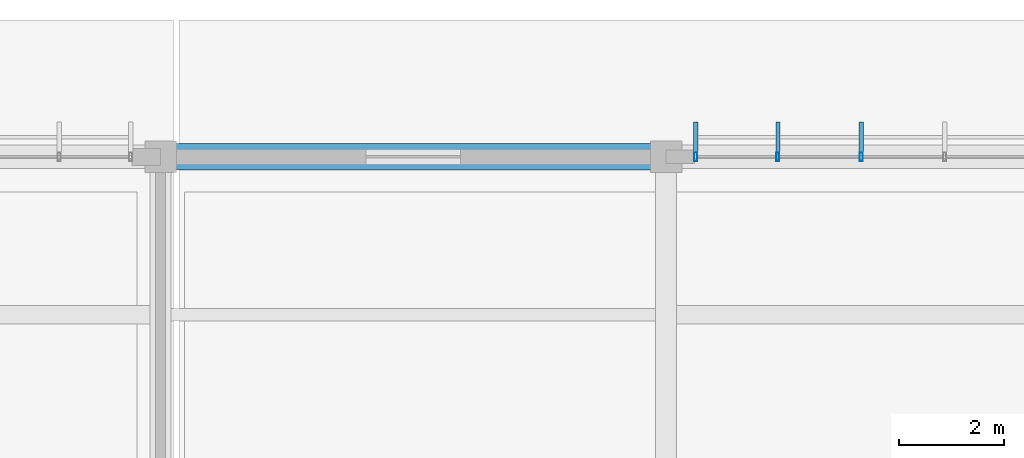
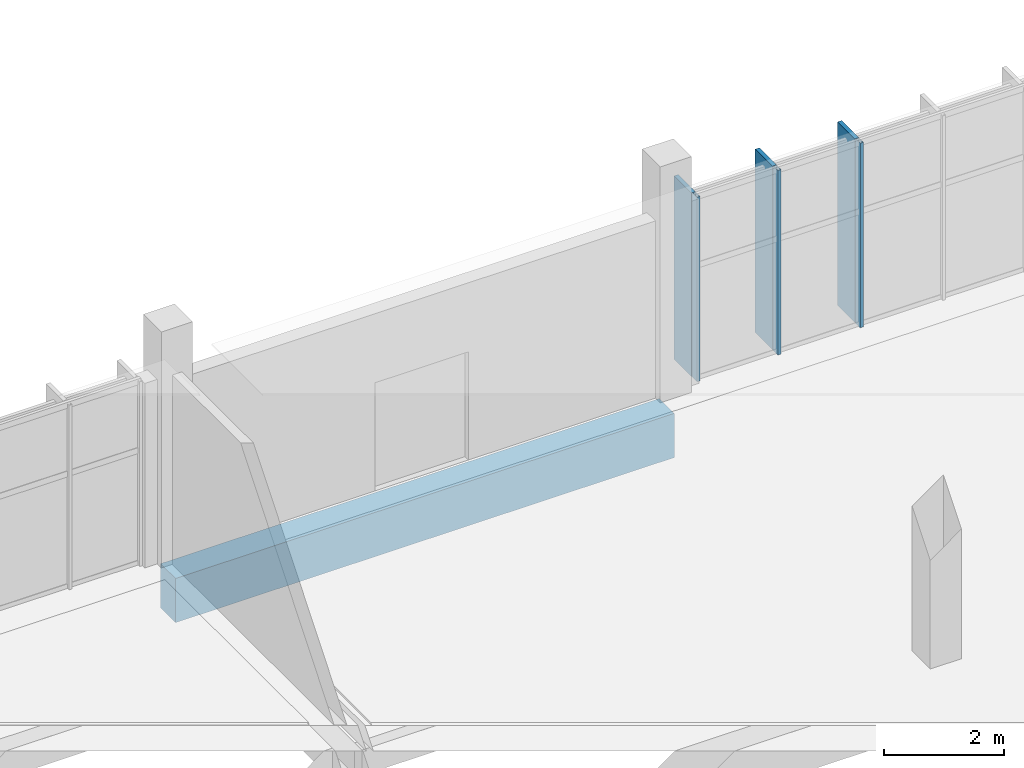
# One storey, part 97 of 151: 6 members, 1 beam, 1 element without a shape of its own.
"""IFC4 building model written with IfcOpenShell, lengths in metres."""

import ifcopenshell
import ifcopenshell.guid

model = None  # the IFC model being written
_history = None  # IfcOwnerHistory: only IFC2X3 demands one
_inside = {}  # id of a spatial element -> (the spatial element, [elements in it])
_under = {}  # id of a project, library or spatial element -> (it, [spatial elements below it])
_declared = {}  # id of a project -> (the project, [libraries it declares])
_typed = {}  # id of a type object -> (the type object, [elements of that type])
_made_of = {}  # id of a material, layer set ... -> (it, [elements and type objects made of it])


def new_model(schema):
    """Start an empty IFC model of exactly this schema.

    Asked for "IFC4X3", IfcOpenShell would pick the latest addendum, in which some entities
    have other attributes; the version numbers below select the first issue.
    IFC2X3 requires an IfcOwnerHistory on every rooted entity: one is made here for all.
    """
    global model, _history
    if schema == "IFC4X3":
        model = ifcopenshell.file(schema_version=(4, 3, 0, 0))
    else:
        model = ifcopenshell.file(schema=schema)
    _inside.clear()
    _under.clear()
    _declared.clear()
    _typed.clear()
    _made_of.clear()
    _history = None
    if model.schema == "IFC2X3":
        org = make("IfcOrganization", Name="unknown")
        user = make(
            "IfcPersonAndOrganization",
            ThePerson=make("IfcPerson", FamilyName="unknown"),
            TheOrganization=org,
        )
        app = make(
            "IfcApplication",
            ApplicationDeveloper=org,
            Version="unknown",
            ApplicationFullName="unknown",
            ApplicationIdentifier="unknown",
        )
        _history = make(
            "IfcOwnerHistory",
            OwningUser=user,
            OwningApplication=app,
            ChangeAction="ADDED",
            CreationDate=0,
        )
    return model


def make(cls, **values):
    """One entity of the class cls with the attributes given. An attribute that is None is left unset."""
    return model.create_entity(
        cls, **{name: value for name, value in values.items() if value is not None}
    )


def rooted(cls, **values):
    """An entity with a GlobalId (a new one), such as an element, a storey or a relation."""
    return make(cls, GlobalId=ifcopenshell.guid.new(), OwnerHistory=_history, **values)


def si_unit(unit_type, name, prefix=None):
    """IfcSIUnit, for example si_unit("LENGTHUNIT", "METRE", prefix="MILLI")."""
    return make("IfcSIUnit", UnitType=unit_type, Prefix=prefix, Name=name)


def assignment(units):
    """IfcUnitAssignment: the units of a project."""
    return None if units is None else make("IfcUnitAssignment", Units=units)


def point(xyz):
    """IfcCartesianPoint."""
    return None if xyz is None else make("IfcCartesianPoint", Coordinates=xyz)


def direction(xyz):
    """IfcDirection."""
    return None if xyz is None else make("IfcDirection", DirectionRatios=xyz)


def frame(location, z_axis=None, x_axis=None):
    """IfcAxis2Placement3D, a coordinate frame: its origin and axes. An axis left out is left unset."""
    return make(
        "IfcAxis2Placement3D",
        Location=point(location),
        Axis=direction(z_axis),
        RefDirection=direction(x_axis),
    )


def frame_2d(location, x_axis=None):
    """IfcAxis2Placement2D, a coordinate frame in the plane: its origin and x axis."""
    return make(
        "IfcAxis2Placement2D", Location=point(location), RefDirection=direction(x_axis)
    )


def origin():
    """The frame at (0, 0, 0) with its axes left unset."""
    return frame((0.0, 0.0, 0.0))


def origin_2d():
    """The frame at (0, 0) in the plane with its x axis left unset."""
    return frame_2d((0.0, 0.0))


def place(relative_to, where):
    """IfcLocalPlacement: puts the frame where relative to a parent placement (None: the world)."""
    return make(
        "IfcLocalPlacement", PlacementRelTo=relative_to, RelativePlacement=where
    )


def context(
    kind, dimensions, precision=None, world=None, true_north=None, identifier=None
):
    """IfcGeometricRepresentationContext, for example the 3D "Model" context."""
    return make(
        "IfcGeometricRepresentationContext",
        ContextIdentifier=identifier,
        ContextType=kind,
        CoordinateSpaceDimension=dimensions,
        Precision=precision,
        WorldCoordinateSystem=world,
        TrueNorth=true_north,
    )


def subcontext(parent, identifier, kind, view, scale=None):
    """IfcGeometricRepresentationSubContext, for example "Body" below "Model"."""
    return make(
        "IfcGeometricRepresentationSubContext",
        ContextIdentifier=identifier,
        ContextType=kind,
        ParentContext=parent,
        TargetScale=scale,
        TargetView=view,
    )


def project(units=None, contexts=None):
    """IfcProject with its units and contexts."""
    return rooted(
        "IfcProject",
        Name="project",
        RepresentationContexts=contexts,
        UnitsInContext=assignment(units),
    )


def spatial(cls, under=None, at=None, **own):
    """A site, building, storey or space (cls), placed at a placement, below another one or the project."""
    s = rooted(cls, ObjectPlacement=at, **own)
    if under is not None:
        _under.setdefault(under.id(), (under, []))[1].append(s)
    return s


def profile(cls, at=None, kind="AREA", **sizes):
    """A parametric profile (cls). Its sizes go by their IFC names, for example OverallWidth=200.0."""
    return make(cls, ProfileType=kind, Position=at, **sizes)


def rectangle(**sizes):
    """IfcRectangleProfileDef."""
    return profile("IfcRectangleProfileDef", **sizes)


def hollow_rectangle(**sizes):
    """IfcRectangleHollowProfileDef."""
    return profile("IfcRectangleHollowProfileDef", **sizes)


def extrude(swept, where, along, depth):
    """IfcExtrudedAreaSolid: the profile swept, set in the frame where, extruded along a direction by depth."""
    return make(
        "IfcExtrudedAreaSolid",
        SweptArea=swept,
        Position=where,
        ExtrudedDirection=direction(along),
        Depth=depth,
    )


def shape(context_of_items, identifier, shape_type, items):
    """IfcShapeRepresentation: the items that make up one representation, for example the "Body"."""
    return make(
        "IfcShapeRepresentation",
        ContextOfItems=context_of_items,
        RepresentationIdentifier=identifier,
        RepresentationType=shape_type,
        Items=items,
    )


def material(Name=None, Category=None):
    """IfcMaterial."""
    return make("IfcMaterial", Name=Name, Category=Category)


def material_profile(
    of_material, cross_section, Name=None, Category=None, Priority=None
):
    """IfcMaterialProfile: a cross section and its material."""
    return make(
        "IfcMaterialProfile",
        Name=Name,
        Material=of_material,
        Profile=cross_section,
        Priority=Priority,
        Category=Category,
    )


def profile_set(profiles, Name=None, composite=None):
    """IfcMaterialProfileSet."""
    return make(
        "IfcMaterialProfileSet",
        Name=Name,
        MaterialProfiles=profiles,
        CompositeProfile=composite,
    )


def made_of(thing, what):
    """Note that an element or type object is made of a material, layer set ...; save() writes the relation."""
    if what is not None:
        _made_of.setdefault(what.id(), (what, []))[1].append(thing)
    return thing


def type_object(cls, material=None, **own):
    """A type object (cls), such as IfcWallType, which elements share."""
    return made_of(rooted(cls, **own), material)


def element(
    cls,
    number,
    at=None,
    inside=None,
    cuts=None,
    type_object=None,
    material=None,
    context=None,
    identifier="Body",
    shape_type=None,
    held_by="IfcProductDefinitionShape",
    body=None,
    shapes=None,
    **own,
):
    """One element of the class cls, such as IfcWall. Its Tag is "e" and its number.

    at: its placement. inside: the storey or other place that contains it. cuts: it is an
    opening in that element (IfcRelVoidsElement). A single representation is given by context,
    identifier, shape_type and body (its items); several are given by shapes. held_by: the class
    of the entity that holds the representations. save() writes the other relations.
    """
    e = rooted(cls, Tag="e%d" % number, ObjectPlacement=at, **own)
    if body is not None:
        shapes = [shape(context, identifier, shape_type, body)]
    if shapes is not None:
        e.Representation = make(held_by, Representations=shapes)
    if inside is not None:
        _inside.setdefault(inside.id(), (inside, []))[1].append(e)
    if cuts is not None:
        rooted(
            "IfcRelVoidsElement", RelatingBuildingElement=cuts, RelatedOpeningElement=e
        )
    if type_object is not None:
        _typed.setdefault(type_object.id(), (type_object, []))[1].append(e)
    return made_of(e, material)


def aggregate(whole, parts):
    """IfcRelAggregates: a whole, such as a stair, and the parts it consists of."""
    return rooted("IfcRelAggregates", RelatingObject=whole, RelatedObjects=parts)


def save(model, path):
    """Write the relations noted so far, then the file.

    IfcRelAggregates (storeys below a building ...), IfcRelContainedInSpatialStructure (elements
    in a storey), IfcRelDefinesByType, IfcRelAssociatesMaterial and IfcRelDeclares: one each for
    every whole, place, type object, material and project.
    """
    for whole, parts in _under.values():
        aggregate(whole, parts)
    for where, things in _inside.values():
        rooted(
            "IfcRelContainedInSpatialStructure",
            RelatedElements=things,
            RelatingStructure=where,
        )
    for kind, things in _typed.values():
        rooted("IfcRelDefinesByType", RelatedObjects=things, RelatingType=kind)
    for what, things in _made_of.values():
        rooted("IfcRelAssociatesMaterial", RelatedObjects=things, RelatingMaterial=what)
    for by, libraries in _declared.values():
        rooted("IfcRelDeclares", RelatingContext=by, RelatedDefinitions=libraries)
    model.write(path)


model = new_model("IFC4")

# Units and contexts
model_context = context("Model", 3, precision=1e-05, world=origin(), true_north=direction((0.0, 1.0)))
body_context = subcontext(model_context, "Body", "Model", "MODEL_VIEW")
ifc_project = project(units=[si_unit("LENGTHUNIT", "METRE"), si_unit("AREAUNIT", "SQUARE_METRE"), si_unit("VOLUMEUNIT", "CUBIC_METRE"), si_unit("PLANEANGLEUNIT", "RADIAN"), si_unit("MASSUNIT", "GRAM", prefix="KILO")], contexts=[model_context])

# Site, building, storey
site_placement = place(None, origin())
site = spatial("IfcSite", under=ifc_project, at=site_placement, CompositionType="ELEMENT")
building_placement = place(site_placement, origin())
building = spatial("IfcBuilding", under=site, at=building_placement, Name="Chiffa Square Polytechnic", CompositionType="ELEMENT")
storey_placement = place(building_placement, origin())
storey = spatial("IfcBuildingStorey", under=building, at=storey_placement, Name="L00", CompositionType="ELEMENT", Elevation=0.0)

# Beam
ifc_material_1 = material(Name="Concrete C40/50", Category="concrete")
ifc_material_profile_1 = material_profile(ifc_material_1, rectangle(XDim=0.5, YDim=0.89990234375, at=origin_2d()), Name="RC 500x900")
ifc_profile_set_1 = profile_set([ifc_material_profile_1], Name="Concrete C40/50")
beam_type = type_object("IfcBeamType", Name="BM-RC-500X900", PredefinedType="BEAM", material=ifc_profile_set_1)
beam_placement = place(storey_placement, frame((48.0, 130.800048828125, -0.800048828125), z_axis=(1.0, 0.0, 0.0), x_axis=(0.0, 1.0, 0.0)))
element("IfcBeam", 1, at=beam_placement, inside=storey, type_object=beam_type, Name="Primary floor girder BM-V5-L00-X-0480-1308", PredefinedType="BEAM", context=body_context, shape_type="SweptSolid", body=[
    extrude(rectangle(XDim=0.5, YDim=0.89990234375, at=origin_2d()), origin(), (0.0, 0.0, 1.0), 9.60009765625),
])

# Curtain wall, members
ifc_material_2 = material(Name="Aluminium EN AW-6060 T66 and glulam shading", Category="wood")
curtain_wall_type = type_object("IfcCurtainWallType", Name="CW-VERT-450X380", PredefinedType="USERDEFINED", material=ifc_material_2)
curtain_wall_placement = place(storey_placement, origin())
curtain_wall = element("IfcCurtainWall", 2, at=curtain_wall_placement, inside=storey, type_object=curtain_wall_type, Name="Curtain wall CW-V5-L00-194", ObjectType="CURTAIN WALL", PredefinedType="USERDEFINED")
ifc_material_3 = material(Name="Aluminium EN AW-6060 T66", Category="aluminium")
ifc_material_profile_2 = material_profile(ifc_material_3, hollow_rectangle(XDim=0.06005859375, YDim=0.159912109375, WallThickness=0.00390625, at=origin_2d()), Name="ALU 60x160x4")
ifc_profile_set_2 = profile_set([ifc_material_profile_2], Name="Aluminium EN AW-6060 T66")
member_type_1 = type_object("IfcMemberType", Name="CWM-ALU-65X150", PredefinedType="MULLION", material=ifc_profile_set_2)
member_1_placement = place(storey_placement, frame((61.30810546875, 130.800048828125, 0.0), z_axis=(0.0, 0.0, 1.0), x_axis=(1.0, 0.0, 0.0)))
member_1 = element("IfcMember", 3, at=member_1_placement, type_object=member_type_1, Name="Curtain wall mullion CW-V5-L00-194-M03", PredefinedType="MULLION", context=body_context, shape_type="SweptSolid", body=[
    extrude(hollow_rectangle(XDim=0.06005859375, YDim=0.159912109375, WallThickness=0.00390625, at=origin_2d()), origin(), (0.0, 0.0, 1.0), 3.7548828125),
])
member_2_placement = place(storey_placement, frame((59.72412109375, 130.800048828125, 0.0), z_axis=(0.0, 0.0, 1.0), x_axis=(1.0, 0.0, 0.0)))
member_2 = element("IfcMember", 4, at=member_2_placement, type_object=member_type_1, Name="Curtain wall mullion CW-V5-L00-194-M04", PredefinedType="MULLION", context=body_context, shape_type="SweptSolid", body=[
    extrude(hollow_rectangle(XDim=0.06005859375, YDim=0.159912109375, WallThickness=0.00390625, at=origin_2d()), origin(), (0.0, 0.0, 1.0), 3.7548828125),
])
member_3_placement = place(storey_placement, frame((58.1650390625, 130.800048828125, 0.0), z_axis=(0.0, 0.0, 1.0), x_axis=(1.0, 0.0, 0.0)))
member_3 = element("IfcMember", 5, at=member_3_placement, type_object=member_type_1, Name="Curtain wall mullion CW-V5-L00-194-M05", PredefinedType="MULLION", context=body_context, shape_type="SweptSolid", body=[
    extrude(hollow_rectangle(XDim=0.06005859375, YDim=0.159912109375, WallThickness=0.00390625, at=origin_2d()), origin(), (0.0, 0.0, 1.0), 3.7548828125),
])
ifc_material_4 = material(Name="Glulam GL28h", Category="wood")
ifc_material_profile_3 = material_profile(ifc_material_4, rectangle(XDim=0.080078125, YDim=0.580078125, at=origin_2d()), Name="GL28h 80x580")
ifc_profile_set_3 = profile_set([ifc_material_profile_3], Name="Glulam GL28h")
member_type_2 = type_object("IfcMemberType", Name="CWM-GL-80X580", PredefinedType="MULLION", material=ifc_profile_set_3)
member_4_placement = place(storey_placement, frame((61.30810546875, 131.172119140625, 0.010009765625), z_axis=(0.0, 0.0, 1.0), x_axis=(-1.0, 0.0, 0.0)))
member_4 = element("IfcMember", 6, at=member_4_placement, type_object=member_type_2, Name="Exterior glulam solar fin CW-V5-L00-194-FN03", PredefinedType="MULLION", context=body_context, shape_type="SweptSolid", body=[
    extrude(rectangle(XDim=0.080078125, YDim=0.580078125, at=origin_2d()), origin(), (0.0, 0.0, 1.0), 3.735107421875),
])
member_5_placement = place(storey_placement, frame((59.72412109375, 131.172119140625, 0.010009765625), z_axis=(0.0, 0.0, 1.0), x_axis=(-1.0, 0.0, 0.0)))
member_5 = element("IfcMember", 7, at=member_5_placement, type_object=member_type_2, Name="Exterior glulam solar fin CW-V5-L00-194-FN04", PredefinedType="MULLION", context=body_context, shape_type="SweptSolid", body=[
    extrude(rectangle(XDim=0.080078125, YDim=0.580078125, at=origin_2d()), origin(), (0.0, 0.0, 1.0), 3.735107421875),
])
member_6_placement = place(storey_placement, frame((58.1650390625, 131.172119140625, 0.010009765625), z_axis=(0.0, 0.0, 1.0), x_axis=(-1.0, 0.0, 0.0)))
member_6 = element("IfcMember", 8, at=member_6_placement, type_object=member_type_2, Name="Exterior glulam solar fin CW-V5-L00-194-FN05", PredefinedType="MULLION", context=body_context, shape_type="SweptSolid", body=[
    extrude(rectangle(XDim=0.080078125, YDim=0.580078125, at=origin_2d()), origin(), (0.0, 0.0, 1.0), 3.735107421875),
])
aggregate(curtain_wall, [member_1, member_4, member_2, member_5, member_3, member_6])

save(model, "model.ifc")
